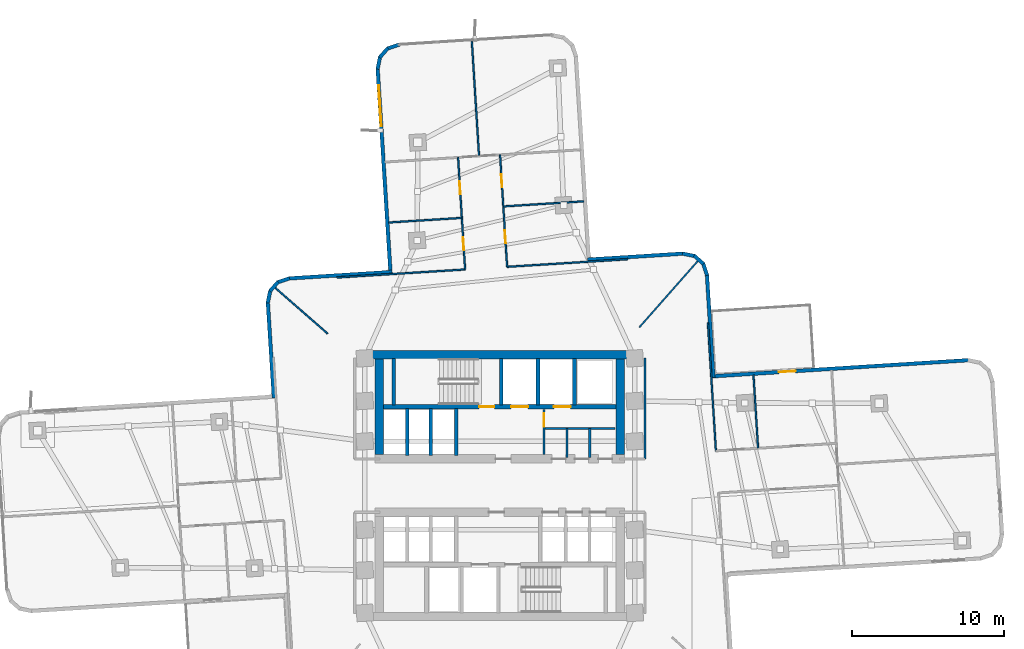
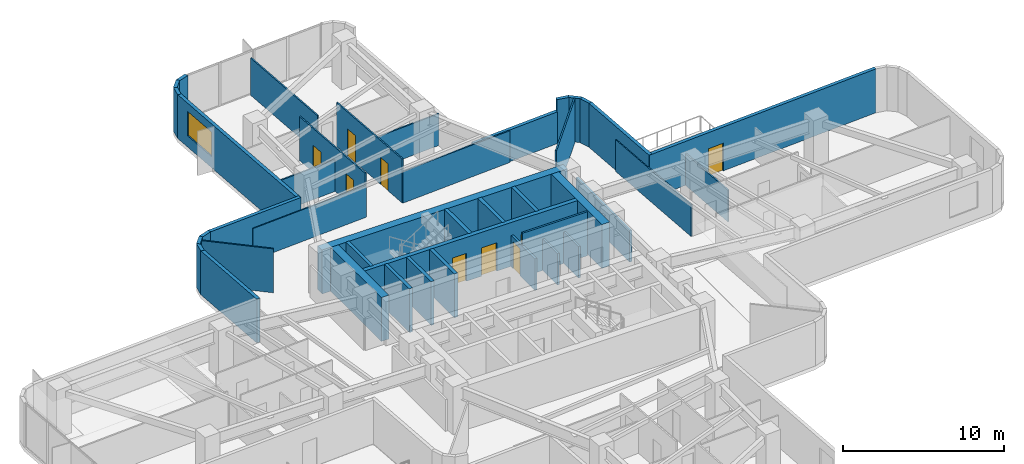
# One storey, part 10 of 16: 42 walls, 9 doors, 1 window, 10 openings.
"""IFC4 building model written with IfcOpenShell, lengths in metres."""

from ifc_helpers import new_model, si_unit, direction, frame, frame_2d, origin, place, context, subcontext, project, spatial, rectangle, extrude, material, layer, layer_set, type_object, element, fill, save


model = new_model("IFC4")

# Units and contexts
model_context = context("Model", 3, precision=1e-05, world=origin(), true_north=direction((0.0, 1.0)))
body_context = subcontext(model_context, "Body", "Model", "MODEL_VIEW")
ifc_project = project(units=[si_unit("LENGTHUNIT", "METRE"), si_unit("AREAUNIT", "SQUARE_METRE"), si_unit("VOLUMEUNIT", "CUBIC_METRE"), si_unit("PLANEANGLEUNIT", "RADIAN"), si_unit("MASSUNIT", "GRAM", prefix="KILO")], contexts=[model_context])

# Site, building, storey
site_placement = place(None, origin())
site = spatial("IfcSite", under=ifc_project, at=site_placement, CompositionType="ELEMENT")
building_placement = place(site_placement, origin())
building = spatial("IfcBuilding", under=site, at=building_placement, Name="Solmarez Civic Tower", CompositionType="ELEMENT")
storey_placement = place(building_placement, frame((0.0, 0.0, 53.280029296875)))
storey = spatial("IfcBuildingStorey", under=building, at=storey_placement, Name="L13", CompositionType="ELEMENT", Elevation=53.280029296875)

# Walls
ifc_material_1 = material(Name="Concrete C60/75", Category="concrete")
ifc_layer_1 = layer(ifc_material_1, 0.550048828125)
ifc_layer_set_1 = layer_set([ifc_layer_1], Name="Concrete C60/75")
wall_type_1 = type_object("IfcWallType", Name="WALL-CORE-550", PredefinedType="SHEAR", material=ifc_layer_set_1)
wall_1_placement = place(storey_placement, frame((-8.780029296875, 8.5849609375, 0.0), z_axis=(0.0, 0.0, 1.0), x_axis=(1.0, 0.0, 0.0)))
element("IfcWall", 1, at=wall_1_placement, inside=storey, type_object=wall_type_1, Name="L13 Split-Core Structural Wall NCW-N-L13", PredefinedType="SHEAR", context=body_context, shape_type="SweptSolid", body=[
    extrude(rectangle(XDim=17.56005859375, YDim=0.550048828125, at=frame_2d((8.780029296875, 0.0))), origin(), (0.0, 0.0, 1.0), 3.320068359375),
])
for number, where, z_axis, x_axis, name in (
    (2, (-7.89501953125, 2.02490234375, 0.0), (0.0, 0.0, 1.0), (0.0, 1.0, 0.0), "L13 Split-Core Structural Wall NCW-W-L13"),
    (3, (7.89501953125, 8.31005859375, 0.0), (0.0, 0.0, 1.0), (0.0, -1.0, 0.0), "L13 Split-Core Structural Wall NCW-E-L13"),
):
    element("IfcWall", number, at=place(storey_placement, frame(where, z_axis=z_axis, x_axis=x_axis)), inside=storey, type_object=wall_type_1, Name=name, PredefinedType="SHEAR", context=body_context, shape_type="SweptSolid", body=[
        extrude(rectangle(XDim=6.28515625, YDim=0.550048828125, at=frame_2d((3.142578125, 0.0))), origin(), (0.0, 0.0, 1.0), 3.320068359375),
    ])
ifc_material_2 = material(Name="Precast concrete C40/50", Category="concrete")
ifc_layer_2 = layer(ifc_material_2, 0.239990234375)
ifc_layer_set_2 = layer_set([ifc_layer_2], Name="Precast concrete C40/50")
wall_type_2 = type_object("IfcWallType", Name="WALL-EXT-240", PredefinedType="SOLIDWALL", material=ifc_layer_set_2)
wall_2_placement = place(storey_placement, frame((-14.820068359375, 5.7451171875, 0.0), z_axis=(0.0, 0.0, 1.0), x_axis=(-0.062902193405, 0.998019696231, 0.0)))
element("IfcWall", 4, at=wall_2_placement, inside=storey, type_object=wall_type_2, Name="L13 Exterior Precast Wall 13", PredefinedType="SOLIDWALL", context=body_context, shape_type="SweptSolid", body=[
    extrude(rectangle(XDim=6.29541015625, YDim=0.239990234375, at=frame_2d((3.147705078125, 0.0))), origin(), (0.0, 0.0, 1.0), 3.320068359375),
])
wall_3_placement = place(storey_placement, frame((-15.218994140625, 11.97802734375, 0.0), z_axis=(0.0, 0.0, 1.0), x_axis=(0.198715846348, 0.980057147523, 0.0)))
element("IfcWall", 5, at=wall_3_placement, inside=storey, type_object=wall_type_2, Name="L13 Exterior Precast Wall 14", PredefinedType="SOLIDWALL", context=body_context, shape_type="SweptSolid", body=[
    extrude(rectangle(XDim=0.83056640625, YDim=0.239990234375, at=frame_2d((0.415283203125, 0.0))), origin(), (0.0, 0.0, 1.0), 3.320068359375),
])
wall_4_placement = place(storey_placement, frame((-15.075927734375, 12.748046875, 0.0), z_axis=(0.0, 0.0, 1.0), x_axis=(0.66076961759, 0.750588777208, 0.0)))
element("IfcWall", 6, at=wall_4_placement, inside=storey, type_object=wall_type_2, Name="L13 Exterior Precast Wall 15", PredefinedType="SOLIDWALL", context=body_context, shape_type="SweptSolid", body=[
    extrude(rectangle(XDim=0.8154296875, YDim=0.239990234375, at=frame_2d((0.40771484375, 0.0))), origin(), (0.0, 0.0, 1.0), 3.320068359375),
])
wall_5_placement = place(storey_placement, frame((-14.577880859375, 13.3330078125, 0.0), z_axis=(0.0, 0.0, 1.0), x_axis=(0.948093326492, 0.317992207862, 0.0)))
element("IfcWall", 7, at=wall_5_placement, inside=storey, type_object=wall_type_2, Name="L13 Exterior Precast Wall 16", PredefinedType="SOLIDWALL", context=body_context, shape_type="SweptSolid", body=[
    extrude(rectangle(XDim=0.829833984375, YDim=0.239990234375, at=frame_2d((0.4150390625, 0.0))), origin(), (0.0, 0.0, 1.0), 3.320068359375),
])
wall_6_placement = place(storey_placement, frame((-13.840087890625, 13.5869140625, 0.0), z_axis=(0.0, 0.0, 1.0), x_axis=(0.998021898782, 0.062867237505, 0.0)))
element("IfcWall", 8, at=wall_6_placement, inside=storey, type_object=wall_type_2, Name="L13 Exterior Precast Wall 17", PredefinedType="SOLIDWALL", context=body_context, shape_type="SweptSolid", body=[
    extrude(rectangle(XDim=6.776611328125, YDim=0.239990234375, at=frame_2d((3.38818359375, 0.0))), origin(), (0.0, 0.0, 1.0), 3.320068359375),
])

# Wall, opening, window
wall_7_placement = place(storey_placement, frame((-7.1669921875, 13.910888671875, 0.0), z_axis=(0.0, 0.0, 1.0), x_axis=(-0.062847485521, 0.9980231428, 0.0)))
wall_7 = element("IfcWall", 9, at=wall_7_placement, inside=storey, type_object=wall_type_2, Name="L13 Exterior Precast Wall 20", PredefinedType="SOLIDWALL", context=body_context, shape_type="SweptSolid", body=[
    extrude(rectangle(XDim=13.475830078125, YDim=0.239990234375, at=frame_2d((6.73779296875, 0.0))), origin(), (0.0, 0.0, 1.0), 3.320068359375),
])
opening_1_placement = place(wall_7_placement, frame((9.676025390625, 0.0, 0.85009765625)))
opening_1 = element("IfcOpeningElement", 10, at=opening_1_placement, cuts=wall_7, Name="Opening W-05", PredefinedType="OPENING", context=body_context, shape_type="SweptSolid", body=[
    extrude(rectangle(XDim=2.699951171875, YDim=1.85009765625, at=frame_2d((1.35009765625, 0.925048828125))), frame((0.0, 0.1298828125, 0.0), z_axis=(0.0, -1.0, 0.0), x_axis=(1.0, 0.0, 0.0)), (0.0, 0.0, 1.0), 0.260009765625),
])
ifc_material_3 = material(Name="Solar Control Bronze-Tinted Insulating Glass", Category="glass")
window_type = type_object("IfcWindowType", Name="WIN-2700X1850", PartitioningType="SINGLE_PANEL", PredefinedType="WINDOW", material=ifc_material_3)
window_placement = place(opening_1_placement, origin())
window = element("IfcWindow", 11, at=window_placement, inside=storey, type_object=window_type, Name="L13 Exterior Facade Window 20", OverallHeight=1.85009765625, OverallWidth=2.699951171875, PartitioningType="SINGLE_PANEL", PredefinedType="WINDOW", context=body_context, shape_type="SweptSolid", body=[
    extrude(rectangle(XDim=2.699951171875, YDim=1.85009765625, at=frame_2d((1.35009765625, 0.925048828125))), frame((0.0, 0.030029296875, 0.0), z_axis=(0.0, -1.0, 0.0), x_axis=(1.0, 0.0, 0.0)), (0.0, 0.0, 1.0), 0.06005859375),
])
fill(opening_1, window)

# Walls
wall_8_placement = place(storey_placement, frame((-8.01708984375, 27.31005859375, 0.0), z_axis=(0.0, 0.0, 1.0), x_axis=(0.197358504911, 0.980331383023, 0.0)))
element("IfcWall", 12, at=wall_8_placement, inside=storey, type_object=wall_type_2, Name="L13 Exterior Precast Wall 21", PredefinedType="SOLIDWALL", context=body_context, shape_type="SweptSolid", body=[
    extrude(rectangle(XDim=0.831298828125, YDim=0.239990234375, at=frame_2d((0.41552734375, 0.0))), origin(), (0.0, 0.0, 1.0), 3.320068359375),
])
wall_9_placement = place(storey_placement, frame((-7.875, 28.0810546875, 0.0), z_axis=(0.0, 0.0, 1.0), x_axis=(0.661681103469, 0.749785380833, 0.0)))
element("IfcWall", 13, at=wall_9_placement, inside=storey, type_object=wall_type_2, Name="L13 Exterior Precast Wall 22", PredefinedType="SOLIDWALL", context=body_context, shape_type="SweptSolid", body=[
    extrude(rectangle(XDim=0.814697265625, YDim=0.239990234375, at=frame_2d((0.4072265625, 0.0))), origin(), (0.0, 0.0, 1.0), 3.320068359375),
])
wall_10_placement = place(storey_placement, frame((-7.376953125, 28.6650390625, 0.0), z_axis=(0.0, 0.0, 1.0), x_axis=(0.947857653451, 0.318694004956, 0.0)))
element("IfcWall", 14, at=wall_10_placement, inside=storey, type_object=wall_type_2, Name="L13 Exterior Precast Wall 23", PredefinedType="SOLIDWALL", context=body_context, shape_type="SweptSolid", body=[
    extrude(rectangle(XDim=0.831298828125, YDim=0.239990234375, at=frame_2d((0.41552734375, 0.0))), origin(), (0.0, 0.0, 1.0), 3.320068359375),
])
wall_11_placement = place(storey_placement, frame((5.7451171875, 14.820068359375, 0.0), z_axis=(0.0, 0.0, 1.0), x_axis=(0.998019696231, 0.062902193405, 0.0)))
element("IfcWall", 15, at=wall_11_placement, inside=storey, type_object=wall_type_2, Name="L13 Exterior Precast Wall 31", PredefinedType="SOLIDWALL", context=body_context, shape_type="SweptSolid", body=[
    extrude(rectangle(XDim=6.29541015625, YDim=0.239990234375, at=frame_2d((3.147705078125, 0.0))), origin(), (0.0, 0.0, 1.0), 2.40087890625),
])
wall_12_placement = place(storey_placement, frame((11.97802734375, 15.218994140625, 0.0), z_axis=(0.0, 0.0, 1.0), x_axis=(0.980057147523, -0.198715846348, 0.0)))
element("IfcWall", 16, at=wall_12_placement, inside=storey, type_object=wall_type_2, Name="L13 Exterior Precast Wall 32", PredefinedType="SOLIDWALL", context=body_context, shape_type="SweptSolid", body=[
    extrude(rectangle(XDim=0.83056640625, YDim=0.239990234375, at=frame_2d((0.415283203125, 0.0))), origin(), (0.0, 0.0, 1.0), 3.320068359375),
])
wall_13_placement = place(storey_placement, frame((12.748046875, 15.075927734375, 0.0), z_axis=(0.0, 0.0, 1.0), x_axis=(0.750588777208, -0.66076961759, 0.0)))
element("IfcWall", 17, at=wall_13_placement, inside=storey, type_object=wall_type_2, Name="L13 Exterior Precast Wall 33", PredefinedType="SOLIDWALL", context=body_context, shape_type="SweptSolid", body=[
    extrude(rectangle(XDim=0.8154296875, YDim=0.239990234375, at=frame_2d((0.40771484375, 0.0))), origin(), (0.0, 0.0, 1.0), 3.320068359375),
])
wall_14_placement = place(storey_placement, frame((13.3330078125, 14.577880859375, 0.0), z_axis=(0.0, 0.0, 1.0), x_axis=(0.317992207862, -0.948093326492, 0.0)))
element("IfcWall", 18, at=wall_14_placement, inside=storey, type_object=wall_type_2, Name="L13 Exterior Precast Wall 34", PredefinedType="SOLIDWALL", context=body_context, shape_type="SweptSolid", body=[
    extrude(rectangle(XDim=0.829833984375, YDim=0.239990234375, at=frame_2d((0.4150390625, 0.0))), origin(), (0.0, 0.0, 1.0), 3.320068359375),
])
wall_15_placement = place(storey_placement, frame((13.5869140625, 13.840087890625, 0.0), z_axis=(0.0, 0.0, 1.0), x_axis=(0.062867237505, -0.998021898782, 0.0)))
element("IfcWall", 19, at=wall_15_placement, inside=storey, type_object=wall_type_2, Name="L13 Exterior Precast Wall 35", PredefinedType="SOLIDWALL", context=body_context, shape_type="SweptSolid", body=[
    extrude(rectangle(XDim=6.776611328125, YDim=0.239990234375, at=frame_2d((3.38818359375, 0.0))), origin(), (0.0, 0.0, 1.0), 3.320068359375),
])

# Wall, opening, door
wall_16_placement = place(storey_placement, frame((13.910888671875, 7.1669921875, 0.0), z_axis=(0.0, 0.0, 1.0), x_axis=(0.99802143782, 0.062874554885, 0.0)))
wall_16 = element("IfcWall", 20, at=wall_16_placement, inside=storey, type_object=wall_type_2, Name="L13 Exterior Precast Wall 38", PredefinedType="SOLIDWALL", context=body_context, shape_type="SweptSolid", body=[
    extrude(rectangle(XDim=16.87548828125, YDim=0.239990234375, at=frame_2d((8.437744140625, 0.0))), origin(), (0.0, 0.0, 1.0), 3.320068359375),
])
opening_2_placement = place(wall_16_placement, frame((4.39990234375, 0.0, 0.0)))
opening_2 = element("IfcOpeningElement", 21, at=opening_2_placement, cuts=wall_16, Name="Opening D-06", PredefinedType="OPENING", context=body_context, shape_type="SweptSolid", body=[
    extrude(rectangle(XDim=1.10009765625, YDim=2.10009765625, at=frame_2d((0.550048828125, 1.050048828125))), frame((0.0, 0.1298828125, 0.0), z_axis=(0.0, -1.0, 0.0), x_axis=(1.0, 0.0, 0.0)), (0.0, 0.0, 1.0), 0.260009765625),
])
ifc_material_4 = material(Name="Bronze Anodised Aluminium Glazed Terrace Door", Category="aluminium")
door_type_1 = type_object("IfcDoorType", Name="DOOR-TERR-1100", OperationType="NOTDEFINED", PredefinedType="DOOR", material=ifc_material_4)
door_1_placement = place(opening_2_placement, origin())
door_1 = element("IfcDoor", 22, at=door_1_placement, inside=storey, type_object=door_type_1, Name="L13 Outdoor Terrace Glazed Door", OperationType="SINGLE_SWING_RIGHT", OverallHeight=2.10009765625, OverallWidth=1.10009765625, PredefinedType="DOOR", context=body_context, shape_type="SweptSolid", body=[
    extrude(rectangle(XDim=1.10009765625, YDim=2.10009765625, at=frame_2d((0.550048828125, 1.050048828125))), frame((0.0, 0.02490234375, 0.0), z_axis=(0.0, -1.0, 0.0), x_axis=(1.0, 0.0, 0.0)), (0.0, 0.0, 1.0), 0.050048828125),
])
fill(opening_2, door_1)

# Walls
ifc_material_5 = material(Name="Gypsum Board Acoustic Steel-Stud Partition", Category="steel")
ifc_layer_3 = layer(ifc_material_5, 0.14990234375)
ifc_layer_set_3 = layer_set([ifc_layer_3], Name="Gypsum Board Acoustic Steel-Stud Partition")
wall_type_3 = type_object("IfcWallType", Name="WALL-INT-FIRE-150", PredefinedType="PARTITIONING", material=ifc_layer_set_3)
wall_17_placement = place(storey_placement, frame((9.52001953125, 1.75, 0.0), z_axis=(0.0, 0.0, 1.0), x_axis=(0.0, 1.0, 0.0)))
element("IfcWall", 23, at=wall_17_placement, inside=storey, type_object=wall_type_3, Name="L13 Interior Partition CHW-L13-EN1", PredefinedType="PARTITIONING", context=body_context, shape_type="SweptSolid", body=[
    extrude(rectangle(XDim=6.6298828125, YDim=0.14990234375, at=frame_2d((3.31494140625, 0.0))), origin(), (0.0, 0.0, 1.0), 2.40087890625),
])
ifc_layer_4 = layer(ifc_material_5, 0.10009765625)
ifc_layer_set_4 = layer_set([ifc_layer_4], Name="Gypsum Board Acoustic Steel-Stud Partition")
wall_type_4 = type_object("IfcWallType", Name="WALL-INT-PART-100", PredefinedType="PARTITIONING", material=ifc_layer_set_4)
wall_18_placement = place(storey_placement, frame((9.15087890625, 10.3798828125, 0.0), z_axis=(0.0, 0.0, 1.0), x_axis=(0.661373124857, 0.750057057641, 0.0)))
element("IfcWall", 24, at=wall_18_placement, inside=storey, type_object=wall_type_4, Name="L13 Interior Partition PT-L13-QDIV-1", PredefinedType="PARTITIONING", context=body_context, shape_type="SweptSolid", body=[
    extrude(rectangle(XDim=5.81689453125, YDim=0.10009765625, at=frame_2d((2.908447265625, 0.0))), origin(), (0.0, 0.0, 1.0), 3.320068359375),
])
wall_19_placement = place(storey_placement, frame((-11.300048828125, 9.9619140625, 0.0), z_axis=(0.0, 0.0, 1.0), x_axis=(-0.750020974917, 0.661414043686, 0.0)))
element("IfcWall", 25, at=wall_19_placement, inside=storey, type_object=wall_type_4, Name="L13 Interior Partition PT-L13-QDIV-2", PredefinedType="PARTITIONING", context=body_context, shape_type="SweptSolid", body=[
    extrude(rectangle(XDim=4.59033203125, YDim=0.10009765625, at=frame_2d((2.295166015625, 0.0))), origin(), (0.0, 0.0, 1.0), 3.320068359375),
])
wall_20_placement = place(storey_placement, frame((14.176025390625, 2.264892578125, 0.0), z_axis=(0.0, 0.0, 1.0), x_axis=(-0.062875924382, 0.998021351542, 0.0)))
element("IfcWall", 26, at=wall_20_placement, inside=storey, type_object=wall_type_4, Name="L13 Interior Partition PT-L13-E-EFL", PredefinedType="PARTITIONING", context=body_context, shape_type="SweptSolid", body=[
    extrude(rectangle(XDim=8.4296875, YDim=0.10009765625, at=frame_2d((4.21484375, 0.0))), origin(), (0.0, 0.0, 1.0), 2.40087890625),
])
wall_21_placement = place(storey_placement, frame((16.93798828125, 2.468017578125, 0.0), z_axis=(0.0, 0.0, 1.0), x_axis=(-0.062774483496, 0.998027737201, 0.0)))
element("IfcWall", 27, at=wall_21_placement, inside=storey, type_object=wall_type_4, Name="L13 Interior Partition PT-L13-E-LM", PredefinedType="PARTITIONING", context=body_context, shape_type="SweptSolid", body=[
    extrude(rectangle(XDim=4.79541015625, YDim=0.10009765625, at=frame_2d((2.397705078125, 0.0))), origin(), (0.0, 0.0, 1.0), 2.40087890625),
])
wall_22_placement = place(storey_placement, frame((-2.264892578125, 14.176025390625, 0.0), z_axis=(0.0, 0.0, 1.0), x_axis=(-0.998021351542, -0.062875924382, 0.0)))
element("IfcWall", 28, at=wall_22_placement, inside=storey, type_object=wall_type_4, Name="L13 Interior Partition PT-L13-N-EFL", PredefinedType="PARTITIONING", context=body_context, shape_type="SweptSolid", body=[
    extrude(rectangle(XDim=8.4296875, YDim=0.10009765625, at=frame_2d((4.21484375, 0.0))), origin(), (0.0, 0.0, 1.0), 2.40087890625),
])
wall_23_placement = place(storey_placement, frame((8.404052734375, 14.846923828125, 0.0), z_axis=(0.0, 0.0, 1.0), x_axis=(-0.998027884619, -0.062772139706, 0.0)))
element("IfcWall", 29, at=wall_23_placement, inside=storey, type_object=wall_type_4, Name="L13 Interior Partition PT-L13-N-EFR", PredefinedType="PARTITIONING", context=body_context, shape_type="SweptSolid", body=[
    extrude(rectangle(XDim=7.94970703125, YDim=0.10009765625, at=frame_2d((3.974853515625, 0.0))), origin(), (0.0, 0.0, 1.0), 2.40087890625),
])
wall_24_placement = place(storey_placement, frame((-2.507080078125, 17.556884765625, 0.0), z_axis=(0.0, 0.0, 1.0), x_axis=(-0.998030925593, -0.062723771889, 0.0)))
element("IfcWall", 30, at=wall_24_placement, inside=storey, type_object=wall_type_4, Name="L13 Interior Partition PT-L13-N-LM", PredefinedType="PARTITIONING", context=body_context, shape_type="SweptSolid", body=[
    extrude(rectangle(XDim=4.79541015625, YDim=0.10009765625, at=frame_2d((2.397705078125, 0.0))), origin(), (0.0, 0.0, 1.0), 2.40087890625),
])
wall_25_placement = place(storey_placement, frame((5.514892578125, 18.64306640625, 0.0), z_axis=(0.0, 0.0, 1.0), x_axis=(-0.998028187643, -0.062767321666, 0.0)))
element("IfcWall", 31, at=wall_25_placement, inside=storey, type_object=wall_type_4, Name="L13 Interior Partition PT-L13-N-RM", PredefinedType="PARTITIONING", context=body_context, shape_type="SweptSolid", body=[
    extrude(rectangle(XDim=5.2744140625, YDim=0.10009765625, at=frame_2d((2.63720703125, 0.0))), origin(), (0.0, 0.0, 1.0), 2.40087890625),
])

# Wall, openings, doors
wall_26_placement = place(storey_placement, frame((-2.737060546875, 21.52099609375, 0.0), z_axis=(0.0, 0.0, 1.0), x_axis=(0.062789217057, -0.998026810372, 0.0)))
wall_26 = element("IfcWall", 32, at=wall_26_placement, inside=storey, type_object=wall_type_4, Name="L13 Interior Partition PT-L13-N-SL", PredefinedType="PARTITIONING", context=body_context, shape_type="SweptSolid", body=[
    extrude(rectangle(XDim=7.3603515625, YDim=0.10009765625, at=frame_2d((3.68017578125, 0.0))), origin(), (0.0, 0.0, 1.0), 3.320068359375),
])
opening_3_placement = place(wall_26_placement, frame((5.236083984375, 0.0, 0.0)))
opening_3 = element("IfcOpeningElement", 33, at=opening_3_placement, cuts=wall_26, Name="Opening D-14", PredefinedType="OPENING", context=body_context, shape_type="SweptSolid", body=[
    extrude(rectangle(XDim=0.860107421875, YDim=2.0400390625, at=frame_2d((0.43017578125, 1.02001953125))), frame((0.0, 0.06005859375, 0.0), z_axis=(0.0, -1.0, 0.0), x_axis=(1.0, 0.0, 0.0)), (0.0, 0.0, 1.0), 0.1201171875),
])
opening_4_placement = place(wall_26_placement, frame((1.555908203125, 0.0, 0.0)))
opening_4 = element("IfcOpeningElement", 34, at=opening_4_placement, cuts=wall_26, Name="Opening D-14", PredefinedType="OPENING", context=body_context, shape_type="SweptSolid", body=[
    extrude(rectangle(XDim=0.860107421875, YDim=2.0400390625, at=frame_2d((0.43017578125, 1.02001953125))), frame((0.0, 0.06005859375, 0.0), z_axis=(0.0, -1.0, 0.0), x_axis=(1.0, 0.0, 0.0)), (0.0, 0.0, 1.0), 0.1201171875),
])
ifc_material_6 = material(Name="Timber Storage and Pantry Door", Category="wood")
door_type_2 = type_object("IfcDoorType", Name="DOOR-INT-850", OperationType="NOTDEFINED", PredefinedType="DOOR", material=ifc_material_6)
door_2_placement = place(opening_3_placement, origin())
door_2 = element("IfcDoor", 35, at=door_2_placement, inside=storey, type_object=door_type_2, Name="L13 Public Reading Room First North Door", OperationType="SINGLE_SWING_LEFT", OverallHeight=2.0400390625, OverallWidth=0.860107421875, PredefinedType="DOOR", context=body_context, shape_type="SweptSolid", body=[
    extrude(rectangle(XDim=0.860107421875, YDim=2.0400390625, at=frame_2d((0.43017578125, 1.02001953125))), frame((0.0, 0.02490234375, 0.0), z_axis=(0.0, -1.0, 0.0), x_axis=(1.0, 0.0, 0.0)), (0.0, 0.0, 1.0), 0.050048828125),
])
fill(opening_3, door_2)
door_3_placement = place(opening_4_placement, origin())
door_3 = element("IfcDoor", 36, at=door_3_placement, inside=storey, type_object=door_type_2, Name="L13 Legal Study Room Second North Door", OperationType="SINGLE_SWING_RIGHT", OverallHeight=2.0400390625, OverallWidth=0.860107421875, PredefinedType="DOOR", context=body_context, shape_type="SweptSolid", body=[
    extrude(rectangle(XDim=0.860107421875, YDim=2.0400390625, at=frame_2d((0.43017578125, 1.02001953125))), frame((0.0, 0.02490234375, 0.0), z_axis=(0.0, -1.0, 0.0), x_axis=(1.0, 0.0, 0.0)), (0.0, 0.0, 1.0), 0.050048828125),
])
fill(opening_4, door_3)

wall_27_placement = place(storey_placement, frame((0.47998046875, 14.347900390625, 0.0), z_axis=(0.0, 0.0, 1.0), x_axis=(-0.062754101162, 0.998029019011, 0.0)))
wall_27 = element("IfcWall", 37, at=wall_27_placement, inside=storey, type_object=wall_type_4, Name="L13 Interior Partition PT-L13-N-SR", PredefinedType="PARTITIONING", context=body_context, shape_type="SweptSolid", body=[
    extrude(rectangle(XDim=7.360595703125, YDim=0.10009765625, at=frame_2d((3.68017578125, 0.0))), origin(), (0.0, 0.0, 1.0), 3.320068359375),
])
opening_5_placement = place(wall_27_placement, frame((1.554931640625, 0.0, 0.0)))
opening_5 = element("IfcOpeningElement", 38, at=opening_5_placement, cuts=wall_27, Name="Opening D-14", PredefinedType="OPENING", context=body_context, shape_type="SweptSolid", body=[
    extrude(rectangle(XDim=0.860107421875, YDim=2.0400390625, at=frame_2d((0.43017578125, 1.02001953125))), frame((0.0, 0.06005859375, 0.0), z_axis=(0.0, -1.0, 0.0), x_axis=(1.0, 0.0, 0.0)), (0.0, 0.0, 1.0), 0.1201171875),
])
opening_6_placement = place(wall_27_placement, frame((5.235107421875, 0.0, 0.0)))
opening_6 = element("IfcOpeningElement", 39, at=opening_6_placement, cuts=wall_27, Name="Opening D-14", PredefinedType="OPENING", context=body_context, shape_type="SweptSolid", body=[
    extrude(rectangle(XDim=0.860107421875, YDim=2.0400390625, at=frame_2d((0.43017578125, 1.02001953125))), frame((0.0, 0.06005859375, 0.0), z_axis=(0.0, -1.0, 0.0), x_axis=(1.0, 0.0, 0.0)), (0.0, 0.0, 1.0), 0.1201171875),
])
door_4_placement = place(opening_5_placement, origin())
door_4 = element("IfcDoor", 40, at=door_4_placement, inside=storey, type_object=door_type_2, Name="L13 Policy Administration Office Third North Door", OperationType="SINGLE_SWING_RIGHT", OverallHeight=2.0400390625, OverallWidth=0.860107421875, PredefinedType="DOOR", context=body_context, shape_type="SweptSolid", body=[
    extrude(rectangle(XDim=0.860107421875, YDim=2.0400390625, at=frame_2d((0.43017578125, 1.02001953125))), frame((0.0, 0.02490234375, 0.0), z_axis=(0.0, -1.0, 0.0), x_axis=(1.0, 0.0, 0.0)), (0.0, 0.0, 1.0), 0.050048828125),
])
fill(opening_5, door_4)
door_5_placement = place(opening_6_placement, origin())
door_5 = element("IfcDoor", 41, at=door_5_placement, inside=storey, type_object=door_type_2, Name="L13 Municipal Law Library Fourth North Door", OperationType="SINGLE_SWING_LEFT", OverallHeight=2.0400390625, OverallWidth=0.860107421875, PredefinedType="DOOR", context=body_context, shape_type="SweptSolid", body=[
    extrude(rectangle(XDim=0.860107421875, YDim=2.0400390625, at=frame_2d((0.43017578125, 1.02001953125))), frame((0.0, 0.02490234375, 0.0), z_axis=(0.0, -1.0, 0.0), x_axis=(1.0, 0.0, 0.0)), (0.0, 0.0, 1.0), 0.050048828125),
])
fill(opening_6, door_5)

# Wall
wall_28_placement = place(storey_placement, frame((-1.363037109375, 21.6669921875, 0.0), z_axis=(0.0, 0.0, 1.0), x_axis=(-0.062790517126, 0.998026728579, 0.0)))
element("IfcWall", 42, at=wall_28_placement, inside=storey, type_object=wall_type_4, Name="L13 Interior Partition PT-L13-N-TM", PredefinedType="PARTITIONING", context=body_context, shape_type="SweptSolid", body=[
    extrude(rectangle(XDim=7.484619140625, YDim=0.10009765625, at=frame_2d((3.7421875, 0.0))), origin(), (0.0, 0.0, 1.0), 2.81201171875),
])

# Wall, opening, door
ifc_layer_5 = layer(ifc_material_5, 0.159912109375)
ifc_layer_set_5 = layer_set([ifc_layer_5], Name="Gypsum Board Acoustic Steel-Stud Partition")
wall_type_5 = type_object("IfcWallType", Name="WALL-INT-SHAFT-160", PredefinedType="PARTITIONING", material=ifc_layer_set_5)
wall_29_placement = place(storey_placement, frame((2.89990234375, 2.0400390625, 0.0), z_axis=(0.0, 0.0, 1.0), x_axis=(0.0, 1.0, 0.0)))
wall_29 = element("IfcWall", 43, at=wall_29_placement, inside=storey, type_object=wall_type_5, Name="L13 Interior Partition SHW-NL2-L13", PredefinedType="PARTITIONING", context=body_context, shape_type="SweptSolid", body=[
    extrude(rectangle(XDim=2.93994140625, YDim=0.159912109375, at=frame_2d((1.469970703125, 0.0))), origin(), (0.0, 0.0, 1.0), 2.385009765625),
])
opening_7_placement = place(wall_29_placement, frame((1.820068359375, 0.0, 0.0)))
opening_7 = element("IfcOpeningElement", 44, at=opening_7_placement, cuts=wall_29, Name="Opening D-09", PredefinedType="OPENING", context=body_context, shape_type="SweptSolid", body=[
    extrude(rectangle(XDim=0.89990234375, YDim=2.06005859375, at=frame_2d((0.449951171875, 1.030029296875))), frame((0.0, 0.08984375, 0.0), z_axis=(0.0, -1.0, 0.0), x_axis=(1.0, 0.0, 0.0)), (0.0, 0.0, 1.0), 0.179931640625),
])
ifc_material_7 = material(Name="Fire-Rated Service Core Door", Category="wood")
door_type_3 = type_object("IfcDoorType", Name="DOOR-FD60-900", OperationType="NOTDEFINED", PredefinedType="DOOR", material=ifc_material_7)
door_6_placement = place(opening_7_placement, origin())
door_6 = element("IfcDoor", 45, at=door_6_placement, inside=storey, type_object=door_type_3, Name="L13 Service Lift Lobby Door", OperationType="SINGLE_SWING_LEFT", OverallHeight=2.06005859375, OverallWidth=0.89990234375, PredefinedType="DOOR", context=body_context, shape_type="SweptSolid", body=[
    extrude(rectangle(XDim=0.89990234375, YDim=2.06005859375, at=frame_2d((0.449951171875, 1.030029296875))), frame((0.0, 0.02490234375, 0.0), z_axis=(0.0, -1.0, 0.0), x_axis=(1.0, 0.0, 0.0)), (0.0, 0.0, 1.0), 0.050048828125),
])
fill(opening_7, door_6)

# Walls
ifc_layer_6 = layer(ifc_material_5, 0.137939453125)
ifc_layer_set_6 = layer_set([ifc_layer_6], Name="Gypsum Board Acoustic Steel-Stud Partition")
wall_type_6 = type_object("IfcWallType", Name="WALL-INT-WET-140", PredefinedType="PARTITIONING", material=ifc_layer_set_6)
wall_30_placement = place(storey_placement, frame((2.89990234375, 3.739990234375, 0.0), z_axis=(0.0, 0.0, 1.0), x_axis=(1.0, 0.0, 0.0)))
element("IfcWall", 46, at=wall_30_placement, inside=storey, type_object=wall_type_6, Name="L13 Interior Partition SHW-SVH-L13", PredefinedType="PARTITIONING", context=body_context, shape_type="SweptSolid", body=[
    extrude(rectangle(XDim=4.650146484375, YDim=0.137939453125, at=frame_2d((2.3251953125, 0.0))), origin(), (0.0, 0.0, 1.0), 3.320068359375),
])
for number, where, z_axis, x_axis, name in (
    (47, (4.39990234375, 1.85009765625, 0.0), (0.0, 0.0, 1.0), (0.0, 1.0, 0.0), "L13 Interior Partition PT-NCSV1-L13"),
    (48, (5.89990234375, 1.85009765625, 0.0), (0.0, 0.0, 1.0), (0.0, 1.0, 0.0), "L13 Interior Partition PT-NCSV2-L13"),
):
    element("IfcWall", number, at=place(storey_placement, frame(where, z_axis=z_axis, x_axis=x_axis)), inside=storey, type_object=wall_type_6, Name=name, PredefinedType="PARTITIONING", context=body_context, shape_type="SweptSolid", body=[
        extrude(rectangle(XDim=1.889892578125, YDim=0.137939453125, at=frame_2d((0.94482421875, 0.0))), origin(), (0.0, 0.0, 1.0), 2.385009765625),
    ])

# Wall, openings, doors
ifc_material_8 = material(Name="Concrete C50/60", Category="concrete")
ifc_layer_7 = layer(ifc_material_8, 0.300048828125)
ifc_layer_set_7 = layer_set([ifc_layer_7], Name="Concrete C50/60")
wall_type_7 = type_object("IfcWallType", Name="WALL-STR-300", PredefinedType="SOLIDWALL", material=ifc_layer_set_7)
wall_31_placement = place(storey_placement, frame((7.6201171875, 5.179931640625, 0.0), z_axis=(0.0, 0.0, 1.0), x_axis=(-1.0, 0.0, 0.0)))
wall_31 = element("IfcWall", 49, at=wall_31_placement, inside=storey, type_object=wall_type_7, Name="L13 Split-Core Structural Wall NCW-M-L13", PredefinedType="SOLIDWALL", context=body_context, shape_type="SweptSolid", body=[
    extrude(rectangle(XDim=15.240234375, YDim=0.300048828125, at=frame_2d((7.6201171875, 0.0))), origin(), (0.0, 0.0, 1.0), 3.320068359375),
])
opening_8_placement = place(wall_31_placement, frame((5.77001953125, 0.0, 0.0)))
opening_8 = element("IfcOpeningElement", 50, at=opening_8_placement, cuts=wall_31, Name="Opening LD-02", PredefinedType="OPENING", context=body_context, shape_type="SweptSolid", body=[
    extrude(rectangle(XDim=1.10009765625, YDim=2.14990234375, at=frame_2d((0.550048828125, 1.074951171875))), frame((0.0, 0.159912109375, 0.0), z_axis=(0.0, -1.0, 0.0), x_axis=(1.0, 0.0, 0.0)), (0.0, 0.0, 1.0), 0.320068359375),
])
opening_9_placement = place(wall_31_placement, frame((2.969970703125, 0.0, 0.0)))
opening_9 = element("IfcOpeningElement", 51, at=opening_9_placement, cuts=wall_31, Name="Opening LD-03", PredefinedType="OPENING", context=body_context, shape_type="SweptSolid", body=[
    extrude(rectangle(XDim=1.10009765625, YDim=2.14990234375, at=frame_2d((0.550048828125, 1.074951171875))), frame((0.0, 0.159912109375, 0.0), z_axis=(0.0, -1.0, 0.0), x_axis=(1.0, 0.0, 0.0)), (0.0, 0.0, 1.0), 0.320068359375),
])
opening_10_placement = place(wall_31_placement, frame((7.969970703125, 0.0, 0.0)))
opening_10 = element("IfcOpeningElement", 52, at=opening_10_placement, cuts=wall_31, Name="Opening D-05", PredefinedType="OPENING", context=body_context, shape_type="SweptSolid", body=[
    extrude(rectangle(XDim=1.0, YDim=2.10009765625, at=frame_2d((0.5, 1.050048828125))), frame((0.0, 0.159912109375, 0.0), z_axis=(0.0, -1.0, 0.0), x_axis=(1.0, 0.0, 0.0)), (0.0, 0.0, 1.0), 0.320068359375),
])
ifc_material_9 = material(Name="Fire-Rated Stairwell Exit Door", Category="wood")
door_type_4 = type_object("IfcDoorType", Name="DOOR-FD90-1000", OperationType="NOTDEFINED", PredefinedType="DOOR", material=ifc_material_9)
door_7_placement = place(opening_10_placement, origin())
door_7 = element("IfcDoor", 53, at=door_7_placement, inside=storey, type_object=door_type_4, Name="L13 North Exit Stair Door ST-1", OperationType="SINGLE_SWING_RIGHT", OverallHeight=2.10009765625, OverallWidth=1.0, PredefinedType="DOOR", context=body_context, shape_type="SweptSolid", body=[
    extrude(rectangle(XDim=1.0, YDim=2.10009765625, at=frame_2d((0.5, 1.050048828125))), frame((0.0, 0.02490234375, 0.0), z_axis=(0.0, -1.0, 0.0), x_axis=(1.0, 0.0, 0.0)), (0.0, 0.0, 1.0), 0.050048828125),
])
fill(opening_10, door_7)
ifc_material_10 = material(Name="Stainless Firefighting Lift Landing Sliding Door", Category="aluminium")
door_type_5 = type_object("IfcDoorType", Name="DOOR-LD-FF-1100", OperationType="DOUBLE_DOOR_SLIDING", PredefinedType="DOOR", material=ifc_material_10)
door_8_placement = place(opening_8_placement, origin())
door_8 = element("IfcDoor", 54, at=door_8_placement, inside=storey, type_object=door_type_5, Name="L13 Firefighting Lift Landing Door FFL-1", OperationType="DOUBLE_DOOR_SLIDING", OverallHeight=2.14990234375, OverallWidth=1.10009765625, PredefinedType="DOOR", context=body_context, shape_type="SweptSolid", body=[
    extrude(rectangle(XDim=1.10009765625, YDim=2.14990234375, at=frame_2d((0.550048828125, 1.074951171875))), frame((0.0, 0.02490234375, 0.0), z_axis=(0.0, -1.0, 0.0), x_axis=(1.0, 0.0, 0.0)), (0.0, 0.0, 1.0), 0.050048828125),
])
fill(opening_8, door_8)
ifc_material_11 = material(Name="Stainless Stretcher Lift Landing Sliding Door", Category="aluminium")
door_type_6 = type_object("IfcDoorType", Name="DOOR-LD-SV-1100", OperationType="DOUBLE_DOOR_SLIDING", PredefinedType="DOOR", material=ifc_material_11)
door_9_placement = place(opening_9_placement, origin())
door_9 = element("IfcDoor", 55, at=door_9_placement, inside=storey, type_object=door_type_6, Name="L13 Service Stretcher Lift Landing Door SVL-1", OperationType="DOUBLE_DOOR_SLIDING", OverallHeight=2.14990234375, OverallWidth=1.10009765625, PredefinedType="DOOR", context=body_context, shape_type="SweptSolid", body=[
    extrude(rectangle(XDim=1.10009765625, YDim=2.14990234375, at=frame_2d((0.550048828125, 1.074951171875))), frame((0.0, 0.02490234375, 0.0), z_axis=(0.0, -1.0, 0.0), x_axis=(1.0, 0.0, 0.0)), (0.0, 0.0, 1.0), 0.050048828125),
])
fill(opening_9, door_9)

# Walls
wall_32_placement = place(storey_placement, frame((-6.949951171875, 5.280029296875, 0.0), z_axis=(0.0, 0.0, 1.0), x_axis=(0.0, 1.0, 0.0)))
element("IfcWall", 56, at=wall_32_placement, inside=storey, type_object=wall_type_7, Name="L13 Split-Core Structural Wall SHW-NW-L13", PredefinedType="SOLIDWALL", context=body_context, shape_type="SweptSolid", body=[
    extrude(rectangle(XDim=3.06005859375, YDim=0.219970703125, at=frame_2d((1.530029296875, 0.0))), origin(), (0.0, 0.0, 1.0), 3.320068359375),
])
for number, where, z_axis, x_axis, name in (
    (57, (0.10009765625, 5.300048828125, 0.0), (0.0, 0.0, 1.0), (0.0, 1.0, 0.0), "L13 Split-Core Structural Wall SHW-N1-L13"),
    (58, (2.5, 5.300048828125, 0.0), (0.0, 0.0, 1.0), (0.0, 1.0, 0.0), "L13 Split-Core Structural Wall SHW-N2-L13"),
    (59, (4.89990234375, 5.300048828125, 0.0), (0.0, 0.0, 1.0), (0.0, 1.0, 0.0), "L13 Split-Core Structural Wall SHW-N3-L13"),
):
    element("IfcWall", number, at=place(storey_placement, frame(where, z_axis=z_axis, x_axis=x_axis)), inside=storey, type_object=wall_type_7, Name=name, PredefinedType="SOLIDWALL", context=body_context, shape_type="SweptSolid", body=[
        extrude(rectangle(XDim=3.0400390625, YDim=0.25, at=frame_2d((1.52001953125, 0.0))), origin(), (0.0, 0.0, 1.0), 3.320068359375),
    ])
wall_33_placement = place(storey_placement, frame((-2.85009765625, 1.97998046875, 0.0), z_axis=(0.0, 0.0, 1.0), x_axis=(0.0, 1.0, 0.0)))
element("IfcWall", 60, at=wall_33_placement, inside=storey, type_object=wall_type_7, Name="L13 Split-Core Structural Wall SHW-NL1-L13", PredefinedType="SOLIDWALL", context=body_context, shape_type="SweptSolid", body=[
    extrude(rectangle(XDim=3.070068359375, YDim=0.25, at=frame_2d((1.53515625, 0.0))), origin(), (0.0, 0.0, 1.0), 3.320068359375),
])
for number, where, z_axis, x_axis, name in (
    (61, (-6.080078125, 1.97998046875, 0.0), (0.0, 0.0, 1.0), (0.0, 1.0, 0.0), "L13 Split-Core Structural Wall SHW-PLH-L13-1"),
    (62, (-4.52001953125, 1.97998046875, 0.0), (0.0, 0.0, 1.0), (0.0, 1.0, 0.0), "L13 Split-Core Structural Wall SHW-PLH-L13-2"),
):
    element("IfcWall", number, at=place(storey_placement, frame(where, z_axis=z_axis, x_axis=x_axis)), inside=storey, type_object=wall_type_7, Name=name, PredefinedType="SOLIDWALL", context=body_context, shape_type="SweptSolid", body=[
        extrude(rectangle(XDim=3.070068359375, YDim=0.219970703125, at=frame_2d((1.53515625, 0.0))), origin(), (0.0, 0.0, 1.0), 3.320068359375),
    ])

save(model, "model.ifc")
